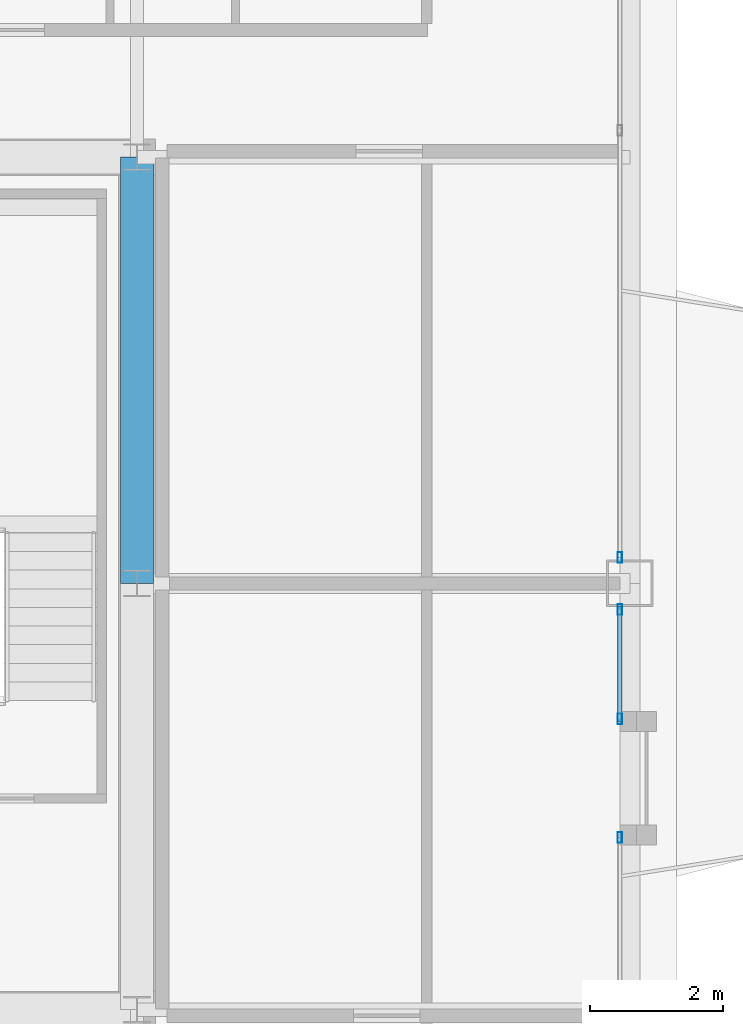
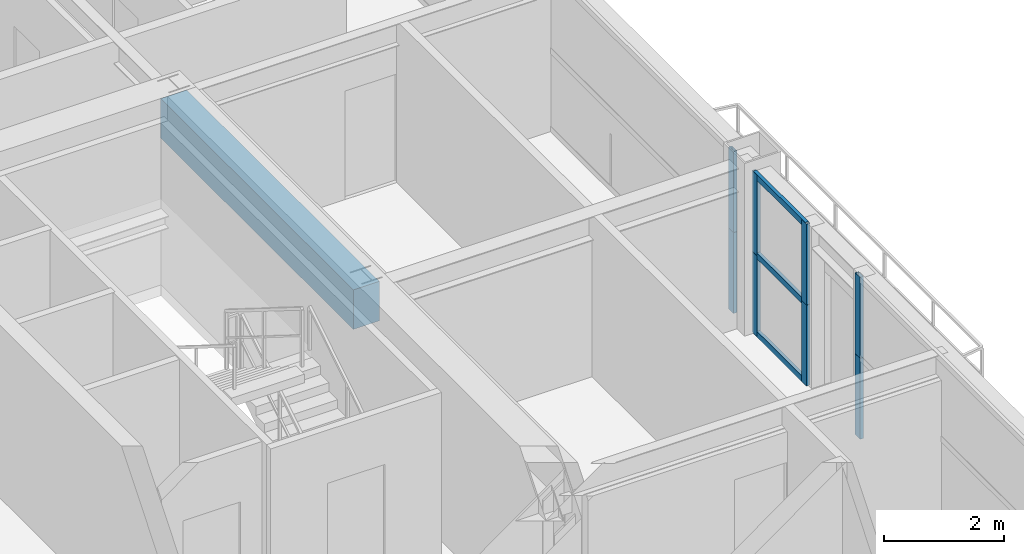
# One storey, part 17 of 35: 11 members, 1 beam, 3 elements without a shape of their own.
"""IFC4 building model written with IfcOpenShell, lengths in metres."""

from ifc_helpers import new_model, si_unit, direction, frame, origin, origin_2d, place, context, subcontext, project, spatial, rectangle, hollow_rectangle, extrude, source, transform, mapped, material, layer, layer_set, material_profile, profile_set, type_object, element, aggregate, save


model = new_model("IFC4")

# Units and contexts
model_context = context("Model", 3, precision=1e-05, world=origin(), true_north=direction((0.0, 1.0)))
body_context = subcontext(model_context, "Body", "Model", "MODEL_VIEW")
ifc_project = project(units=[si_unit("LENGTHUNIT", "METRE"), si_unit("AREAUNIT", "SQUARE_METRE"), si_unit("VOLUMEUNIT", "CUBIC_METRE"), si_unit("PLANEANGLEUNIT", "RADIAN"), si_unit("MASSUNIT", "GRAM", prefix="KILO"), si_unit("THERMODYNAMICTEMPERATUREUNIT", "KELVIN"), si_unit("POWERUNIT", "WATT")], contexts=[model_context])

# Site, building, storey
site_placement = place(None, origin())
site = spatial("IfcSite", under=ifc_project, at=site_placement, CompositionType="ELEMENT")
building_placement = place(site_placement, origin())
building = spatial("IfcBuilding", under=site, at=building_placement, Name="Yuzanri Waterfront Tower", CompositionType="ELEMENT")
storey_placement = place(building_placement, frame((0.0, 0.0, 248.60009765625)))
storey = spatial("IfcBuildingStorey", under=building, at=storey_placement, Name="L66", CompositionType="ELEMENT", Elevation=248.60009765625)

# Beam
ifc_material_1 = material(Name="Concrete C50", Category="concrete")
ifc_material_profile_1 = material_profile(ifc_material_1, rectangle(XDim=0.5, YDim=0.800048828125, at=origin_2d()), Name="RC 500x800")
ifc_profile_set_1 = profile_set([ifc_material_profile_1], Name="Concrete C50")
beam_type = type_object("IfcBeamType", Name="Core Coupling Lintel Concrete C50 500x800", PredefinedType="LINTEL", material=ifc_profile_set_1)
shared_shape_1 = source(origin(), body_context, "Body", "SweptSolid", [
    extrude(rectangle(XDim=0.5, YDim=0.800048828125, at=origin_2d()), origin(), (0.0, 0.0, 1.0), 6.39990234375),
])
beam_placement = place(storey_placement, frame((50.199951171875, 25.800048828125, 2.8798828125), z_axis=(0.0, 1.0, 0.0), x_axis=(-1.0, 0.0, 0.0)))
element("IfcBeam", 1, at=beam_placement, inside=storey, type_object=beam_type, Name="L66 Core Tie Beam CE2", PredefinedType="LINTEL", context=body_context, shape_type="MappedRepresentation", body=[
    mapped(shared_shape_1, transform((0.0, 0.0, 0.0), scale=1.0)),
])

# Curtain wall, members
ifc_material_2 = material(Name="Anodized Architectural Bronze", Category="metal")
ifc_layer = layer(ifc_material_2, 0.159912109375)
ifc_layer_set = layer_set([ifc_layer], Name="Anodized Architectural Bronze")
curtain_wall_type = type_object("IfcCurtainWallType", Name="Anodized Bronze Mid-Rise Residential Acoustic Unitized Curtain Wall 7200", PredefinedType="NOTDEFINED", material=ifc_layer_set)
curtain_wall_1_placement = place(storey_placement, origin())
curtain_wall_1 = element("IfcCurtainWall", 2, at=curtain_wall_1_placement, inside=storey, type_object=curtain_wall_type, Name="L66 Curtain Wall CW-L66-EL1", PredefinedType="NOTDEFINED")
ifc_material_3 = material(Name="Anodized Architectural Bronze", Category="metal")
ifc_material_profile_2 = material_profile(ifc_material_3, hollow_rectangle(XDim=0.06494140625, YDim=0.159912109375, WallThickness=0.00341796875, at=origin_2d()), Name="CWM 65x160")
ifc_profile_set_2 = profile_set([ifc_material_profile_2], Name="Anodized Architectural Bronze")
member_type_1 = type_object("IfcMemberType", Name="Anodized Bronze Upper-Zone Curtain-Wall Mullion 65x160", PredefinedType="MULLION", material=ifc_profile_set_2)
shared_shape_2 = source(origin(), body_context, "Body", "SweptSolid", [
    extrude(hollow_rectangle(XDim=0.06494140625, YDim=0.159912109375, WallThickness=0.00341796875, at=origin_2d()), origin(), (0.0, 0.0, 1.0), 1.637939453125),
])
member_1_placement = place(storey_placement, frame((57.449951171875, 21.985107421875, 0.0), z_axis=(0.0, 0.0, 1.0), x_axis=(1.0, 0.0, 0.0)))
member_1 = element("IfcMember", 3, at=member_1_placement, type_object=member_type_1, Name="CW-L66-EL1 Lower Mullion 01", PredefinedType="MULLION", context=body_context, shape_type="MappedRepresentation", body=[
    mapped(shared_shape_2, transform((0.0, 0.0, 0.0), scale=1.0)),
])
member_2_placement = place(storey_placement, frame((57.449951171875, 21.985107421875, 1.641845703125), z_axis=(0.0, 0.0, 1.0), x_axis=(1.0, 0.0, 0.0)))
member_2 = element("IfcMember", 4, at=member_2_placement, type_object=member_type_1, Name="CW-L66-EL1 Upper Mullion 01", PredefinedType="MULLION", context=body_context, shape_type="MappedRepresentation", body=[
    mapped(shared_shape_2, transform((0.0, 0.0, 0.0), scale=1.0)),
])
aggregate(curtain_wall_1, [member_1, member_2])

curtain_wall_2_placement = place(storey_placement, origin())
curtain_wall_2 = element("IfcCurtainWall", 5, at=curtain_wall_2_placement, inside=storey, type_object=curtain_wall_type, Name="L66 Curtain Wall CW-L66-EL2", PredefinedType="NOTDEFINED")
member_3_placement = place(storey_placement, frame((57.449951171875, 23.764892578125, 0.0), z_axis=(0.0, 0.0, 1.0), x_axis=(1.0, 0.0, 0.0)))
member_3 = element("IfcMember", 6, at=member_3_placement, type_object=member_type_1, Name="CW-L66-EL2 Lower Mullion 00", PredefinedType="MULLION", context=body_context, shape_type="MappedRepresentation", body=[
    mapped(shared_shape_2, transform((0.0, 0.0, 0.0), scale=1.0)),
])
member_4_placement = place(storey_placement, frame((57.449951171875, 23.764892578125, 1.641845703125), z_axis=(0.0, 0.0, 1.0), x_axis=(1.0, 0.0, 0.0)))
member_4 = element("IfcMember", 7, at=member_4_placement, type_object=member_type_1, Name="CW-L66-EL2 Upper Mullion 00", PredefinedType="MULLION", context=body_context, shape_type="MappedRepresentation", body=[
    mapped(shared_shape_2, transform((0.0, 0.0, 0.0), scale=1.0)),
])
member_5_placement = place(storey_placement, frame((57.449951171875, 25.409912109375, 0.0), z_axis=(0.0, 0.0, 1.0), x_axis=(1.0, 0.0, 0.0)))
member_5 = element("IfcMember", 8, at=member_5_placement, type_object=member_type_1, Name="CW-L66-EL2 Lower Mullion 01", PredefinedType="MULLION", context=body_context, shape_type="MappedRepresentation", body=[
    mapped(shared_shape_2, transform((0.0, 0.0, 0.0), scale=1.0)),
])
member_6_placement = place(storey_placement, frame((57.449951171875, 25.409912109375, 1.641845703125), z_axis=(0.0, 0.0, 1.0), x_axis=(1.0, 0.0, 0.0)))
member_6 = element("IfcMember", 9, at=member_6_placement, type_object=member_type_1, Name="CW-L66-EL2 Upper Mullion 01", PredefinedType="MULLION", context=body_context, shape_type="MappedRepresentation", body=[
    mapped(shared_shape_2, transform((0.0, 0.0, 0.0), scale=1.0)),
])

curtain_wall_3_placement = place(storey_placement, origin())
curtain_wall_3 = element("IfcCurtainWall", 10, at=curtain_wall_3_placement, inside=storey, type_object=curtain_wall_type, Name="L66 Curtain Wall CW-L66-ER", PredefinedType="NOTDEFINED")
member_7_placement = place(storey_placement, frame((57.449951171875, 26.18994140625, 0.0), z_axis=(0.0, 0.0, 1.0), x_axis=(1.0, 0.0, 0.0)))
member_7 = element("IfcMember", 11, at=member_7_placement, type_object=member_type_1, Name="CW-L66-ER Lower Mullion 00", PredefinedType="MULLION", context=body_context, shape_type="MappedRepresentation", body=[
    mapped(shared_shape_2, transform((0.0, 0.0, 0.0), scale=1.0)),
])
member_8_placement = place(storey_placement, frame((57.449951171875, 26.18994140625, 1.641845703125), z_axis=(0.0, 0.0, 1.0), x_axis=(1.0, 0.0, 0.0)))
member_8 = element("IfcMember", 12, at=member_8_placement, type_object=member_type_1, Name="CW-L66-ER Upper Mullion 00", PredefinedType="MULLION", context=body_context, shape_type="MappedRepresentation", body=[
    mapped(shared_shape_2, transform((0.0, 0.0, 0.0), scale=1.0)),
])
aggregate(curtain_wall_3, [member_7, member_8])

# Member
ifc_material_4 = material(Name="Anodized Architectural Bronze", Category="metal")
ifc_material_profile_3 = material_profile(ifc_material_4, hollow_rectangle(XDim=0.06494140625, YDim=0.1201171875, WallThickness=0.00341796875, at=origin_2d()), Name="CWT 65x120")
ifc_profile_set_3 = profile_set([ifc_material_profile_3], Name="Anodized Architectural Bronze")
member_type_2 = type_object("IfcMemberType", Name="Anodized Bronze Secondary Curtain-Wall Transom 65x120", PredefinedType="USERDEFINED", material=ifc_profile_set_3)
shared_shape_3 = source(origin(), body_context, "Body", "SweptSolid", [
    extrude(hollow_rectangle(XDim=0.06494140625, YDim=0.1201171875, WallThickness=0.00341796875, at=origin_2d()), origin(), (0.0, 0.0, 1.0), 1.724853515625),
])
member_9_placement = place(storey_placement, frame((57.449951171875, 23.72509765625, 0.0498046875), z_axis=(0.0, 1.0, 0.0), x_axis=(-1.0, 0.0, 0.0)))
member_9 = element("IfcMember", 13, at=member_9_placement, type_object=member_type_2, Name="CW-L66-EL2 Transom 1", ObjectType="TRANSOM", PredefinedType="USERDEFINED", context=body_context, shape_type="MappedRepresentation", body=[
    mapped(shared_shape_3, transform((0.0, 0.0, 0.0), scale=1.0)),
])

member_10_placement = place(storey_placement, frame((57.449951171875, 23.72509765625, 1.639892578125), z_axis=(0.0, 1.0, 0.0), x_axis=(-1.0, 0.0, 0.0)))
member_10 = element("IfcMember", 14, at=member_10_placement, type_object=member_type_2, Name="CW-L66-EL2 Transom 2", ObjectType="TRANSOM", PredefinedType="USERDEFINED", context=body_context, shape_type="MappedRepresentation", body=[
    mapped(shared_shape_3, transform((0.0, 0.0, 0.0), scale=1.0)),
])

member_11_placement = place(storey_placement, frame((57.449951171875, 23.72509765625, 3.22998046875), z_axis=(0.0, 1.0, 0.0), x_axis=(-1.0, 0.0, 0.0)))
member_11 = element("IfcMember", 15, at=member_11_placement, type_object=member_type_2, Name="CW-L66-EL2 Transom 3", ObjectType="TRANSOM", PredefinedType="USERDEFINED", context=body_context, shape_type="MappedRepresentation", body=[
    mapped(shared_shape_3, transform((0.0, 0.0, 0.0), scale=1.0)),
])

aggregate(curtain_wall_2, [member_3, member_4, member_5, member_6, member_9, member_10, member_11])

save(model, "model.ifc")
